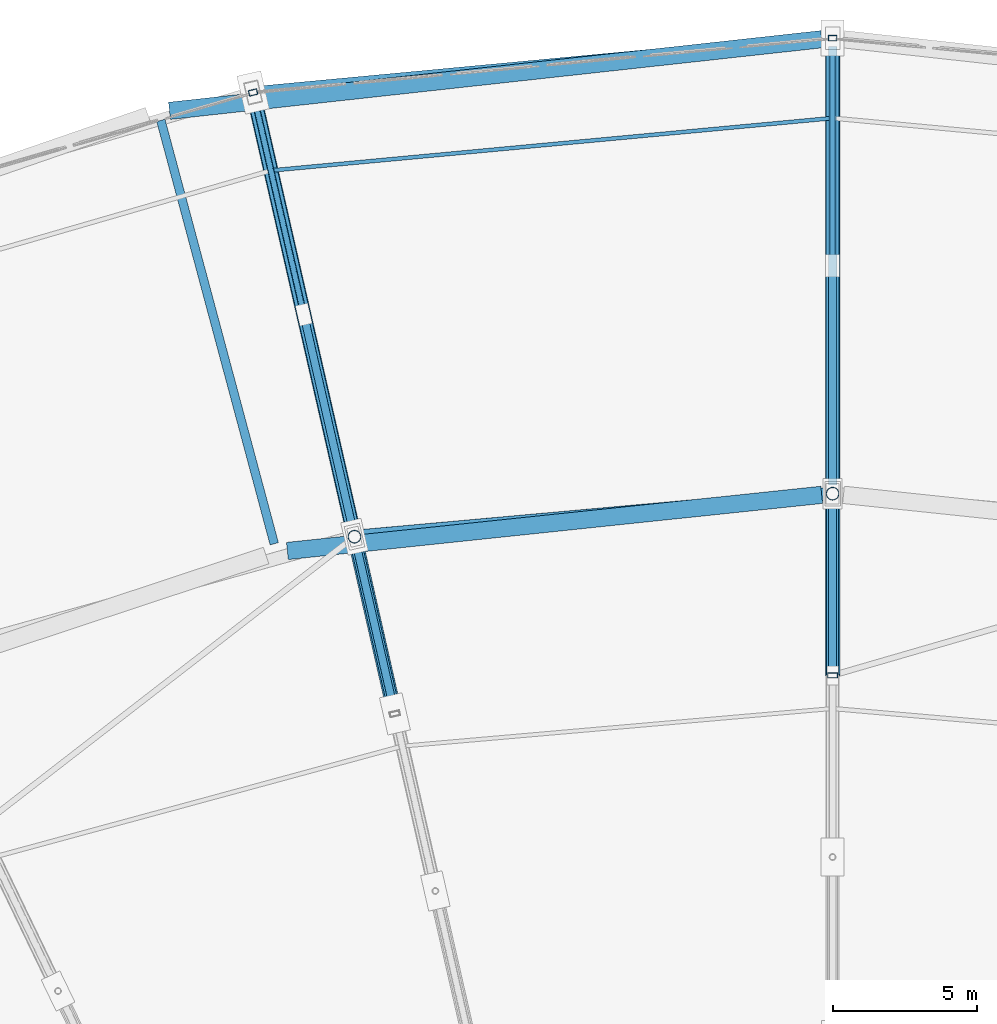
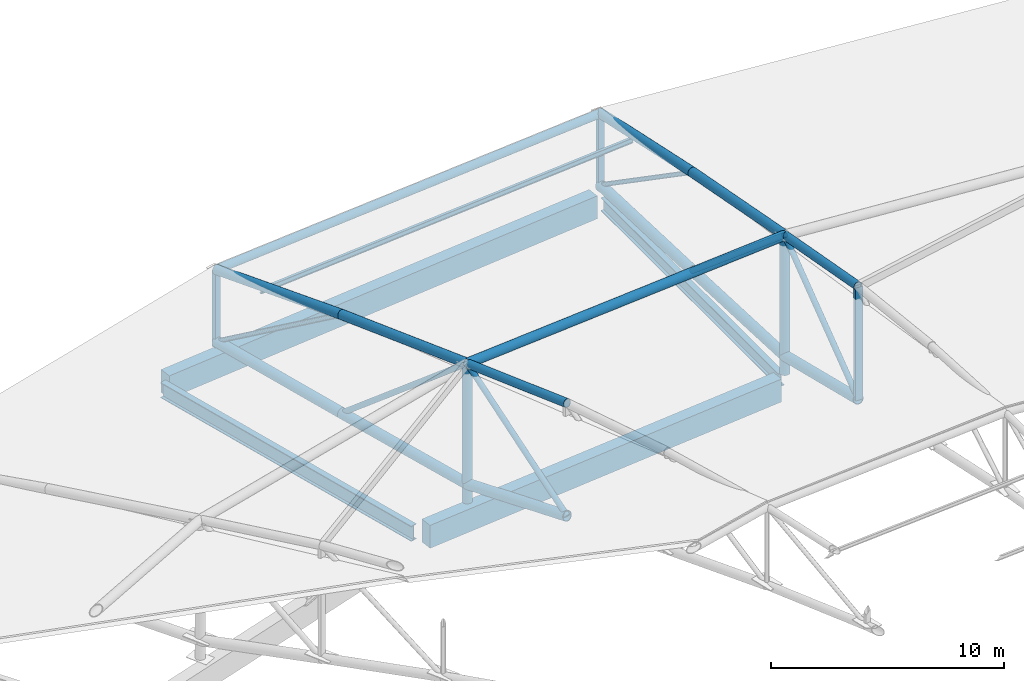
# One storey, part 85 of 108: 26 members, 4 beams.
"""IFC4 building model written with IfcOpenShell, lengths in metres."""

from ifc_helpers import new_model, si_unit, direction, frame, origin, origin_2d, place, context, subcontext, project, spatial, rectangle, hollow_rectangle, hollow_circle, i_section, extrude, material, material_profile, profile_set, type_object, element, save


model = new_model("IFC4")

# Units and contexts
model_context = context("Model", 3, precision=1e-05, world=origin(), true_north=direction((0.0, 1.0)))
body_context = subcontext(model_context, "Body", "Model", "MODEL_VIEW")
ifc_project = project(units=[si_unit("LENGTHUNIT", "METRE"), si_unit("AREAUNIT", "SQUARE_METRE"), si_unit("VOLUMEUNIT", "CUBIC_METRE"), si_unit("PLANEANGLEUNIT", "RADIAN"), si_unit("MASSUNIT", "GRAM", prefix="KILO")], contexts=[model_context])

# Site, building, storey
site_placement = place(None, origin())
site = spatial("IfcSite", under=ifc_project, at=site_placement, CompositionType="ELEMENT")
building_placement = place(site_placement, origin())
building = spatial("IfcBuilding", under=site, at=building_placement, Name="Zevraka Park Crest Stadium", CompositionType="ELEMENT")
storey_placement = place(building_placement, frame((0.0, 0.0, 29.39990234375)))
storey = spatial("IfcBuildingStorey", under=building, at=storey_placement, Name="RF", CompositionType="ELEMENT", Elevation=29.39990234375)

# Beams
ifc_material_1 = material(Name="Steel S355", Category="steel")
ifc_material_profile_1 = material_profile(ifc_material_1, i_section(OverallWidth=0.300048828125, OverallDepth=0.699951171875, WebThickness=0.01708984375, FlangeThickness=0.031982421875, at=origin_2d()), Name="HEB 700")
ifc_profile_set_1 = profile_set([ifc_material_profile_1], Name="Steel S355")
beam_type_1 = type_object("IfcBeamType", Name="BG06", PredefinedType="BEAM", material=ifc_profile_set_1)
beam_1_placement = place(storey_placement, frame((112.0, 151.800048828125, -0.534912109375), z_axis=(0.0, 1.0, 0.0), x_axis=(-1.0, 0.0, 0.0)))
element("IfcBeam", 1, at=beam_1_placement, inside=storey, type_object=beam_type_1, Name="Radial Girder BG06 RF-BD-06", PredefinedType="BEAM", context=body_context, shape_type="SweptSolid", body=[
    extrude(i_section(OverallWidth=0.300048828125, OverallDepth=0.699951171875, WebThickness=0.01708984375, FlangeThickness=0.031982421875, at=origin_2d()), origin(), (0.0, 0.0, 1.0), 15.199951171875),
])
ifc_material_2 = material(Name="Steel S355", Category="steel")
ifc_material_profile_2 = material_profile(ifc_material_2, i_section(OverallWidth=0.300048828125, OverallDepth=0.800048828125, WebThickness=0.017578125, FlangeThickness=0.032958984375, at=origin_2d()), Name="HEB 800")
ifc_profile_set_2 = profile_set([ifc_material_profile_2], Name="Steel S355")
beam_type_2 = type_object("IfcBeamType", Name="BG10", PredefinedType="BEAM", material=ifc_profile_set_2)
beam_2_placement = place(storey_placement, frame((92.639892578125, 149.762939453125, -0.534912109375), z_axis=(-0.258761243247, 0.965941312396, 0.0), x_axis=(-0.965941312396, -0.258761243247, 0.0)))
element("IfcBeam", 2, at=beam_2_placement, inside=storey, type_object=beam_type_2, Name="Radial Girder BG10 RF-BD-07", PredefinedType="BEAM", context=body_context, shape_type="SweptSolid", body=[
    extrude(i_section(OverallWidth=0.300048828125, OverallDepth=0.800048828125, WebThickness=0.017578125, FlangeThickness=0.032958984375, at=origin_2d()), origin(), (0.0, 0.0, 1.0), 15.19873046875),
])

# Member
ifc_material_3 = material(Name="Steel S355", Category="steel")
ifc_material_profile_3 = material_profile(ifc_material_3, i_section(OverallWidth=0.135009765625, OverallDepth=0.27001953125, WebThickness=0.006591796875, FlangeThickness=0.01025390625, at=origin_2d()), Name="IPE 270")
ifc_profile_set_3 = profile_set([ifc_material_profile_3], Name="Steel S355")
member_type_1 = type_object("IfcMemberType", Name="PR04", PredefinedType="PURLIN", material=ifc_profile_set_3)
member_1_placement = place(storey_placement, frame((112.0, 164.52392578125, 4.302001953125), z_axis=(-0.995672202982, -0.092934730907, 0.0), x_axis=(0.092934730907, -0.995672202982, 0.0)))
element("IfcMember", 3, at=member_1_placement, inside=storey, type_object=member_type_1, Name="Canopy Roof Purlin PR04 OUTER-08-1", PredefinedType="PURLIN", context=body_context, shape_type="SweptSolid", body=[
    extrude(i_section(OverallWidth=0.135009765625, OverallDepth=0.27001953125, WebThickness=0.006591796875, FlangeThickness=0.01025390625, at=origin_2d()), origin(), (0.0, 0.0, 1.0), 19.560791015625),
])

# Beams
ifc_material_4 = material(Name="Concrete C40/50", Category="concrete")
ifc_material_profile_4 = material_profile(ifc_material_4, rectangle(XDim=0.60009765625, YDim=1.199951171875, at=origin_2d()), Name="RC 1200x600")
ifc_profile_set_4 = profile_set([ifc_material_profile_4], Name="Concrete C40/50")
beam_type_3 = type_object("IfcBeamType", Name="RB01", PredefinedType="BEAM", material=ifc_profile_set_4)
beam_3_placement = place(storey_placement, frame((111.6220703125, 151.4599609375, -0.599853515625), z_axis=(-0.994522746434, -0.1045203656, 0.0), x_axis=(0.1045203656, -0.994522746434, 0.0)))
element("IfcBeam", 4, at=beam_3_placement, inside=storey, type_object=beam_type_3, Name="Ring Beam RB01 RF-B-06", PredefinedType="BEAM", context=body_context, shape_type="SweptSolid", body=[
    extrude(rectangle(XDim=0.60009765625, YDim=1.199951171875, at=origin_2d()), origin(), (0.0, 0.0, 1.0), 18.628173828125),
])
beam_4_placement = place(storey_placement, frame((111.6220703125, 167.259033203125, -0.599853515625), z_axis=(-0.994021150509, -0.109187693174, 0.0), x_axis=(0.109187693174, -0.994021150509, 0.0)))
element("IfcBeam", 5, at=beam_4_placement, inside=storey, type_object=beam_type_3, Name="Ring Beam RB01 RF-D-06", PredefinedType="BEAM", context=body_context, shape_type="SweptSolid", body=[
    extrude(rectangle(XDim=0.60009765625, YDim=1.199951171875, at=origin_2d()), origin(), (0.0, 0.0, 1.0), 22.7509765625),
])

# Members
ifc_material_5 = material(Name="Steel S355", Category="steel")
ifc_material_profile_5 = material_profile(ifc_material_5, hollow_circle(Radius=0.25390625, WallThickness=0.030029296875, at=origin_2d()), Name="CHS 508.0x30")
ifc_profile_set_5 = profile_set([ifc_material_profile_5], Name="Steel S355")
member_type_2 = type_object("IfcMemberType", Name="TC01", PredefinedType="CHORD", material=ifc_profile_set_5)
member_2_placement = place(storey_placement, frame((112.0, 167.300048828125, 0.25), z_axis=(0.0, -0.999279533078, 0.03795279663), x_axis=(1.0, 0.0, 0.0)))
element("IfcMember", 6, at=member_2_placement, inside=storey, type_object=member_type_2, Name="Roof Truss Bottom Chord TC01 T08-1", PredefinedType="CHORD", context=body_context, shape_type="SweptSolid", body=[
    extrude(hollow_circle(Radius=0.25390625, WallThickness=0.030029296875, at=origin_2d()), origin(), (0.0, 0.0, 1.0), 7.90576171875),
])
member_3_placement = place(storey_placement, frame((112.0, 159.39990234375, 0.550048828125), z_axis=(0.0, -0.999019458827, 0.044273252486), x_axis=(1.0, 0.0, 0.0)))
element("IfcMember", 7, at=member_3_placement, inside=storey, type_object=member_type_2, Name="Roof Truss Bottom Chord TC01 T08-2", PredefinedType="CHORD", context=body_context, shape_type="SweptSolid", body=[
    extrude(hollow_circle(Radius=0.25390625, WallThickness=0.030029296875, at=origin_2d()), origin(), (0.0, 0.0, 1.0), 7.90771484375),
])
member_4_placement = place(storey_placement, frame((112.0, 151.5, 0.900146484375), z_axis=(0.0, -0.971041073831, 0.238912605222), x_axis=(1.0, 0.0, 0.0)))
element("IfcMember", 8, at=member_4_placement, inside=storey, type_object=member_type_2, Name="Roof Truss Bottom Chord TC01 T08-3", PredefinedType="CHORD", context=body_context, shape_type="SweptSolid", body=[
    extrude(hollow_circle(Radius=0.25390625, WallThickness=0.030029296875, at=origin_2d()), origin(), (0.0, 0.0, 1.0), 6.488037109375),
])
member_5_placement = place(storey_placement, frame((91.906005859375, 165.412109375, 0.25), z_axis=(0.222371621946, -0.974223014742, 0.037952329311), x_axis=(0.97492539894, 0.222531944902, 0.0)))
element("IfcMember", 9, at=member_5_placement, inside=storey, type_object=member_type_2, Name="Roof Truss Bottom Chord TC01 T09-1", PredefinedType="CHORD", context=body_context, shape_type="SweptSolid", body=[
    extrude(hollow_circle(Radius=0.25390625, WallThickness=0.030029296875, at=origin_2d()), origin(), (0.0, 0.0, 1.0), 7.906005859375),
])
member_6_placement = place(storey_placement, frame((93.6640625, 157.7099609375, 0.550048828125), z_axis=(0.222320446954, -0.97396794057, 0.044272673369), x_axis=(0.974923868544, 0.222538649551, 0.0)))
element("IfcMember", 10, at=member_6_placement, inside=storey, type_object=member_type_2, Name="Roof Truss Bottom Chord TC01 T09-2", PredefinedType="CHORD", context=body_context, shape_type="SweptSolid", body=[
    extrude(hollow_circle(Radius=0.25390625, WallThickness=0.030029296875, at=origin_2d()), origin(), (0.0, 0.0, 1.0), 7.90771484375),
])
member_7_placement = place(storey_placement, frame((95.422119140625, 150.008056640625, 0.900146484375), z_axis=(0.216071602528, -0.946696164472, 0.238913027595), x_axis=(0.974929167571, 0.222515433667, 0.0)))
element("IfcMember", 11, at=member_7_placement, inside=storey, type_object=member_type_2, Name="Roof Truss Bottom Chord TC01 T09-3", PredefinedType="CHORD", context=body_context, shape_type="SweptSolid", body=[
    extrude(hollow_circle(Radius=0.25390625, WallThickness=0.030029296875, at=origin_2d()), origin(), (0.0, 0.0, 1.0), 6.488037109375),
])
ifc_material_6 = material(Name="Steel S355", Category="steel")
ifc_material_profile_6 = material_profile(ifc_material_6, hollow_circle(Radius=0.228515625, WallThickness=0.02490234375, at=origin_2d()), Name="CHS 457.0x25")
ifc_profile_set_6 = profile_set([ifc_material_profile_6], Name="Steel S355")
member_type_3 = type_object("IfcMemberType", Name="TC02", PredefinedType="CHORD", material=ifc_profile_set_6)
member_8_placement = place(storey_placement, frame((112.0, 151.5, 0.0), z_axis=(0.0, 0.0, 1.0), x_axis=(0.0, 1.0, 0.0)))
element("IfcMember", 12, at=member_8_placement, inside=storey, type_object=member_type_3, Name="Roof Truss Anchor Strut TC02 T08-2", PredefinedType="CHORD", context=body_context, shape_type="SweptSolid", body=[
    extrude(hollow_circle(Radius=0.228515625, WallThickness=0.02490234375, at=origin_2d()), origin(), (0.0, 0.0, 1.0), 7.2001953125),
])
member_9_placement = place(storey_placement, frame((112.0, 167.300048828125, 4.0), z_axis=(0.0, -0.977616783303, 0.210393500384), x_axis=(1.0, 0.0, 0.0)))
element("IfcMember", 13, at=member_9_placement, inside=storey, type_object=member_type_3, Name="Roof Truss Top Chord TC02 T08-1", PredefinedType="CHORD", context=body_context, shape_type="SweptSolid", body=[
    extrude(hollow_circle(Radius=0.228515625, WallThickness=0.02490234375, at=origin_2d()), origin(), (0.0, 0.0, 1.0), 8.0810546875),
])
member_10_placement = place(storey_placement, frame((112.0, 159.39990234375, 5.7001953125), z_axis=(0.0, -0.982446826972, 0.186542842726), x_axis=(1.0, 0.0, 0.0)))
element("IfcMember", 14, at=member_10_placement, inside=storey, type_object=member_type_3, Name="Roof Truss Top Chord TC02 T08-2", PredefinedType="CHORD", context=body_context, shape_type="SweptSolid", body=[
    extrude(hollow_circle(Radius=0.228515625, WallThickness=0.02490234375, at=origin_2d()), origin(), (0.0, 0.0, 1.0), 8.041015625),
])
member_11_placement = place(storey_placement, frame((95.422119140625, 150.008056640625, 0.0), z_axis=(0.0, 0.0, 1.0), x_axis=(-0.222569549971, 0.974916814618, 0.0)))
element("IfcMember", 15, at=member_11_placement, inside=storey, type_object=member_type_3, Name="Roof Truss Anchor Strut TC02 T09-2", PredefinedType="CHORD", context=body_context, shape_type="SweptSolid", body=[
    extrude(hollow_circle(Radius=0.228515625, WallThickness=0.02490234375, at=origin_2d()), origin(), (0.0, 0.0, 1.0), 7.2001953125),
])
member_12_placement = place(storey_placement, frame((91.906005859375, 165.412109375, 4.0), z_axis=(0.217551082903, -0.953103952705, 0.210391020877), x_axis=(0.97492539894, 0.222531944902, 0.0)))
element("IfcMember", 16, at=member_12_placement, inside=storey, type_object=member_type_3, Name="Roof Truss Top Chord TC02 T09-1", PredefinedType="CHORD", context=body_context, shape_type="SweptSolid", body=[
    extrude(hollow_circle(Radius=0.228515625, WallThickness=0.02490234375, at=origin_2d()), origin(), (0.0, 0.0, 1.0), 8.0810546875),
])
member_13_placement = place(storey_placement, frame((93.6640625, 157.7099609375, 5.7001953125), z_axis=(0.218632489842, -0.957811298019, 0.186540482931), x_axis=(0.974923868544, 0.222538649551, 0.0)))
element("IfcMember", 17, at=member_13_placement, inside=storey, type_object=member_type_3, Name="Roof Truss Top Chord TC02 T09-2", PredefinedType="CHORD", context=body_context, shape_type="SweptSolid", body=[
    extrude(hollow_circle(Radius=0.228515625, WallThickness=0.02490234375, at=origin_2d()), origin(), (0.0, 0.0, 1.0), 8.041259765625),
])
member_14_placement = place(storey_placement, frame((112.0, 151.5, 7.2001953125), z_axis=(-0.995974792395, -0.089633771061, 0.0), x_axis=(0.089633771061, -0.995974792395, 0.0)))
element("IfcMember", 18, at=member_14_placement, inside=storey, type_object=member_type_3, Name="Roof Main Bowl-Rim Ring Chord TC02 08", PredefinedType="CHORD", context=body_context, shape_type="SweptSolid", body=[
    extrude(hollow_circle(Radius=0.228515625, WallThickness=0.02490234375, at=origin_2d()), origin(), (0.0, 0.0, 1.0), 16.644775390625),
])
ifc_material_7 = material(Name="Steel S355", Category="steel")
ifc_material_profile_7 = material_profile(ifc_material_7, hollow_circle(Radius=0.203125, WallThickness=0.02001953125, at=origin_2d()), Name="CHS 406.4x20")
ifc_profile_set_7 = profile_set([ifc_material_profile_7], Name="Steel S355")
member_type_4 = type_object("IfcMemberType", Name="TC03", PredefinedType="CHORD", material=ifc_profile_set_7)
for number, where, z_axis, x_axis, name in (
    (19, (112.0, 151.5, 7.2001953125), (0.0, -0.983747689745, 0.179556350269), (1.0, 0.0, 0.0), "Roof Truss Top Chord TC03 T08-3"),
    (20, (95.422119140625, 150.008056640625, 7.2001953125), (0.21889903057, -0.959084258287, 0.179556676069), (0.974929167571, 0.222515433667, 0.0), "Roof Truss Top Chord TC03 T09-3"),
):
    element("IfcMember", number, at=place(storey_placement, frame(where, z_axis=z_axis, x_axis=x_axis)), inside=storey, type_object=member_type_4, Name=name, PredefinedType="CHORD", context=body_context, shape_type="SweptSolid", body=[
        extrude(hollow_circle(Radius=0.203125, WallThickness=0.02001953125, at=origin_2d()), origin(), (0.0, 0.0, 1.0), 6.404052734375),
    ])
member_15_placement = place(storey_placement, frame((112.0, 167.300048828125, 4.0), z_axis=(-0.995615199736, -0.093543434051, 0.0), x_axis=(0.093543434051, -0.995615199736, 0.0)))
element("IfcMember", 21, at=member_15_placement, inside=storey, type_object=member_type_4, Name="Roof Outer Canopy Ring Chord TC03 08", PredefinedType="CHORD", context=body_context, shape_type="SweptSolid", body=[
    extrude(hollow_circle(Radius=0.203125, WallThickness=0.02001953125, at=origin_2d()), origin(), (0.0, 0.0, 1.0), 20.182373046875),
])
ifc_material_8 = material(Name="Steel S355", Category="steel")
ifc_material_profile_8 = material_profile(ifc_material_8, hollow_circle(Radius=0.136474609375, WallThickness=0.012451171875, at=origin_2d()), Name="CHS 273.0x12.5")
ifc_profile_set_8 = profile_set([ifc_material_profile_8], Name="Steel S355")
member_type_5 = type_object("IfcMemberType", Name="WB01", PredefinedType="BRACE", material=ifc_profile_set_8)
member_16_placement = place(storey_placement, frame((112.0, 159.39990234375, 0.550048828125), z_axis=(0.0, -0.765025835155, 0.643999589709), x_axis=(1.0, 0.0, 0.0)))
element("IfcMember", 22, at=member_16_placement, inside=storey, type_object=member_type_5, Name="Roof Truss Web Diagonal WB01 T08-2", PredefinedType="BRACE", context=body_context, shape_type="SweptSolid", body=[
    extrude(hollow_circle(Radius=0.136474609375, WallThickness=0.012451171875, at=origin_2d()), origin(), (0.0, 0.0, 1.0), 10.326416015625),
])
member_17_placement = place(storey_placement, frame((112.0, 145.199951171875, 2.4501953125), z_axis=(0.0, 0.798478765103, 0.602022974379), x_axis=(-1.0, 0.0, 0.0)))
element("IfcMember", 23, at=member_17_placement, inside=storey, type_object=member_type_5, Name="Roof Truss Web Diagonal WB01 T08-3", PredefinedType="BRACE", context=body_context, shape_type="SweptSolid", body=[
    extrude(hollow_circle(Radius=0.136474609375, WallThickness=0.012451171875, at=origin_2d()), origin(), (0.0, 0.0, 1.0), 7.89013671875),
])
member_18_placement = place(storey_placement, frame((93.6640625, 157.7099609375, 0.550048828125), z_axis=(0.170248741629, -0.745846000859, 0.643994649805), x_axis=(0.974923868544, 0.222538649551, 0.0)))
element("IfcMember", 24, at=member_18_placement, inside=storey, type_object=member_type_5, Name="Roof Truss Web Diagonal WB01 T09-2", PredefinedType="BRACE", context=body_context, shape_type="SweptSolid", body=[
    extrude(hollow_circle(Radius=0.136474609375, WallThickness=0.012451171875, at=origin_2d()), origin(), (0.0, 0.0, 1.0), 10.326416015625),
])
member_19_placement = place(storey_placement, frame((96.823974609375, 143.865966796875, 2.4501953125), z_axis=(-0.177673727956, 0.778459708798, 0.602023694029), x_axis=(-0.974929167571, -0.222515433667, 0.0)))
element("IfcMember", 25, at=member_19_placement, inside=storey, type_object=member_type_5, Name="Roof Truss Web Diagonal WB01 T09-3", PredefinedType="BRACE", context=body_context, shape_type="SweptSolid", body=[
    extrude(hollow_circle(Radius=0.136474609375, WallThickness=0.012451171875, at=origin_2d()), origin(), (0.0, 0.0, 1.0), 7.89013671875),
])
ifc_material_9 = material(Name="Steel S355", Category="steel")
ifc_material_profile_9 = material_profile(ifc_material_9, hollow_circle(Radius=0.109619140625, WallThickness=0.010009765625, at=origin_2d()), Name="CHS 219.1x10")
ifc_profile_set_9 = profile_set([ifc_material_profile_9], Name="Steel S355")
member_type_6 = type_object("IfcMemberType", Name="WB02", PredefinedType="BRACE", material=ifc_profile_set_9)
member_20_placement = place(storey_placement, frame((112.0, 167.300048828125, 0.25), z_axis=(0.0, -0.823124227189, 0.567861344533), x_axis=(1.0, 0.0, 0.0)))
element("IfcMember", 26, at=member_20_placement, inside=storey, type_object=member_type_6, Name="Roof Truss Web Diagonal WB02 T08-1", PredefinedType="BRACE", context=body_context, shape_type="SweptSolid", body=[
    extrude(hollow_circle(Radius=0.109619140625, WallThickness=0.010009765625, at=origin_2d()), origin(), (0.0, 0.0, 1.0), 9.59765625),
])
member_21_placement = place(storey_placement, frame((91.906005859375, 165.412109375, 0.25), z_axis=(0.183172163518, -0.802487906494, 0.567856600246), x_axis=(0.97492539894, 0.222531944902, 0.0)))
element("IfcMember", 27, at=member_21_placement, inside=storey, type_object=member_type_6, Name="Roof Truss Web Diagonal WB02 T09-1", PredefinedType="BRACE", context=body_context, shape_type="SweptSolid", body=[
    extrude(hollow_circle(Radius=0.109619140625, WallThickness=0.010009765625, at=origin_2d()), origin(), (0.0, 0.0, 1.0), 9.597900390625),
])
ifc_material_10 = material(Name="Steel S355", Category="steel")
ifc_material_profile_10 = material_profile(ifc_material_10, hollow_rectangle(XDim=0.199951171875, YDim=0.300048828125, WallThickness=0.012451171875, at=origin_2d()), Name="RHS 300x200x12.5")
ifc_profile_set_10 = profile_set([ifc_material_profile_10], Name="Steel S355")
member_type_7 = type_object("IfcMemberType", Name="WB03", PredefinedType="BRACE", material=ifc_profile_set_10)
for number, where, z_axis, x_axis, name in (
    (28, (112.0, 167.300048828125, 0.0), (0.0, 0.0, 1.0), (0.0, 1.0, 0.0), "Roof Truss Anchor Strut WB03 T08-0"),
    (29, (91.906005859375, 165.412109375, 0.0), (0.0, 0.0, 1.0), (-0.222569549971, 0.974916814618, 0.0), "Roof Truss Anchor Strut WB03 T09-0"),
):
    element("IfcMember", number, at=place(storey_placement, frame(where, z_axis=z_axis, x_axis=x_axis)), inside=storey, type_object=member_type_7, Name=name, PredefinedType="BRACE", context=body_context, shape_type="SweptSolid", body=[
        extrude(hollow_rectangle(XDim=0.199951171875, YDim=0.300048828125, WallThickness=0.012451171875, at=origin_2d()), origin(), (0.0, 0.0, 1.0), 4.0),
    ])
ifc_material_11 = material(Name="Steel S355", Category="steel")
ifc_material_profile_11 = material_profile(ifc_material_11, hollow_rectangle(XDim=0.175048828125, YDim=0.35009765625, WallThickness=0.012451171875, at=origin_2d()), Name="RHS 350x175x12.5")
ifc_profile_set_11 = profile_set([ifc_material_profile_11], Name="Steel S355")
member_type_8 = type_object("IfcMemberType", Name="WB09", PredefinedType="BRACE", material=ifc_profile_set_11)
member_22_placement = place(storey_placement, frame((112.0, 145.199951171875, 2.4501953125), z_axis=(0.0, 0.0, 1.0), x_axis=(0.0, 1.0, 0.0)))
element("IfcMember", 30, at=member_22_placement, inside=storey, type_object=member_type_8, Name="Roof Truss Web Post WB09 T08-3", PredefinedType="BRACE", context=body_context, shape_type="SweptSolid", body=[
    extrude(hollow_rectangle(XDim=0.175048828125, YDim=0.35009765625, WallThickness=0.012451171875, at=origin_2d()), origin(), (0.0, 0.0, 1.0), 5.89990234375),
])

save(model, "model.ifc")
